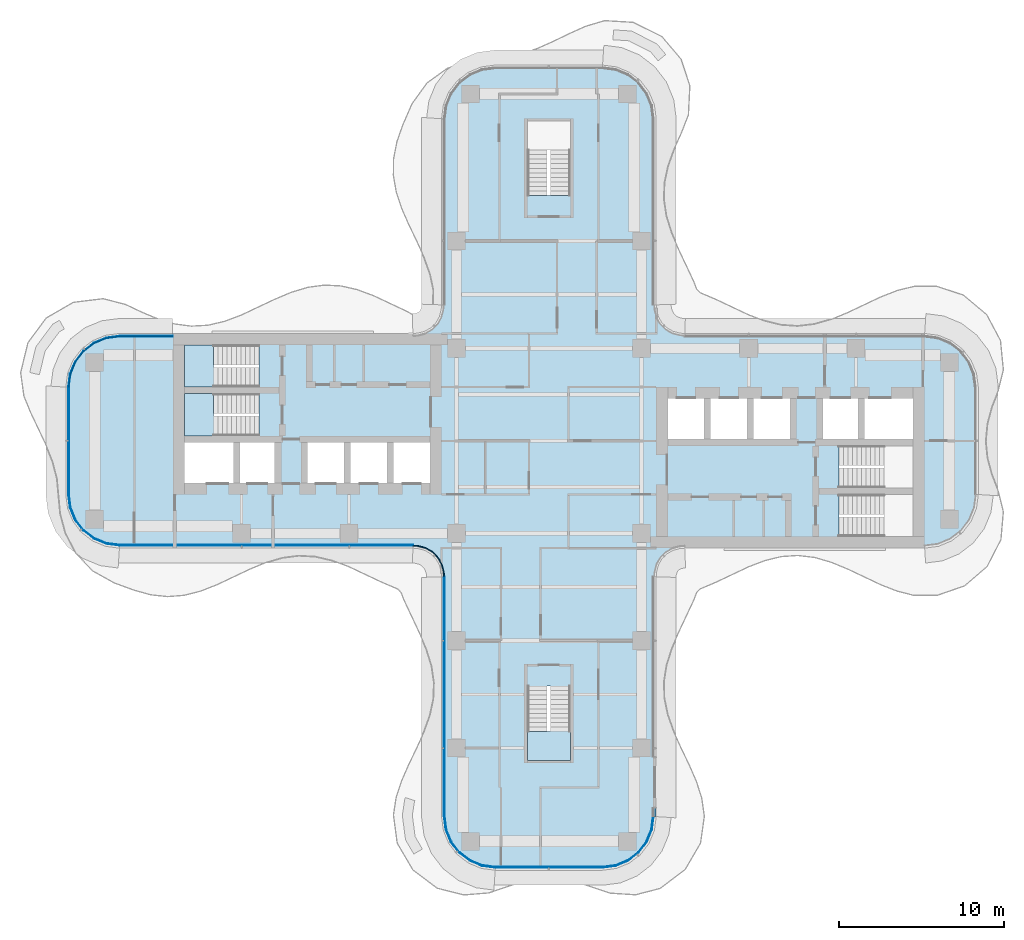
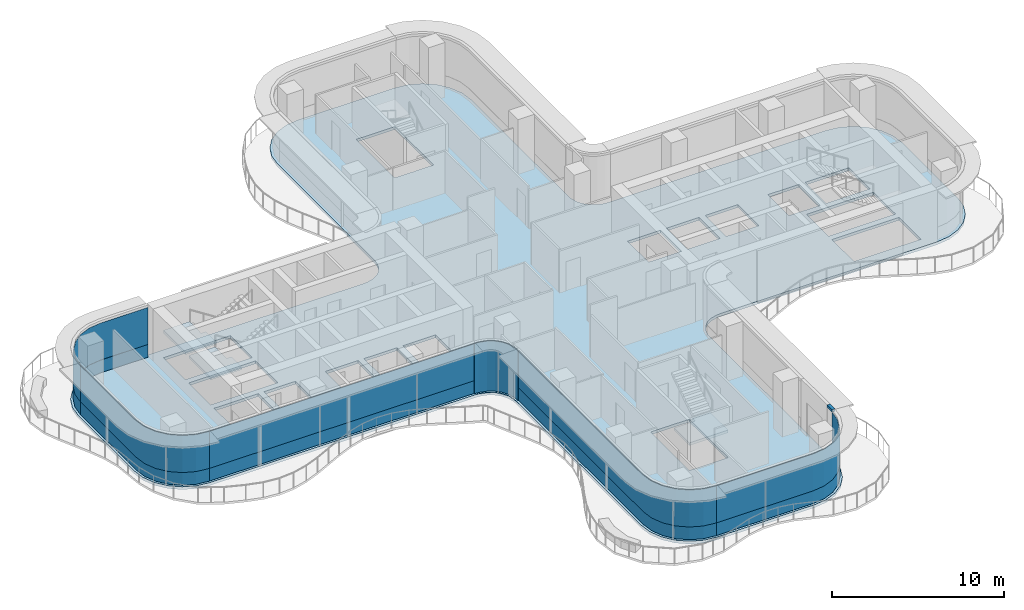
# One storey, part 8 of 17: 11 plates, 4 slabs, 1 member, 10 elements without a shape of their own.
"""IFC4 building model written with IfcOpenShell, lengths in metres."""

from ifc_helpers import new_model, si_unit, direction, frame, origin, place, context, subcontext, project, spatial, polyline, outline, extrude, source, transform, mapped, material, layer, layer_set, type_object, element, aggregate, save


model = new_model("IFC4")

# Units and contexts
model_context = context("Model", 3, precision=1e-05, world=origin(), true_north=direction((0.0, 1.0)))
body_context = subcontext(model_context, "Body", "Model", "MODEL_VIEW")
ifc_project = project(units=[si_unit("LENGTHUNIT", "METRE"), si_unit("AREAUNIT", "SQUARE_METRE"), si_unit("VOLUMEUNIT", "CUBIC_METRE"), si_unit("PLANEANGLEUNIT", "RADIAN"), si_unit("MASSUNIT", "GRAM", prefix="KILO")], contexts=[model_context])

# Site, building, storey
site_placement = place(None, origin())
site = spatial("IfcSite", under=ifc_project, at=site_placement, CompositionType="ELEMENT")
building_placement = place(site_placement, origin())
building = spatial("IfcBuilding", under=site, at=building_placement, Name="Trellis Farm Tower", CompositionType="ELEMENT")
storey_placement = place(building_placement, frame((0.0, 0.0, 236.300048828125)))
storey = spatial("IfcBuildingStorey", under=building, at=storey_placement, Name="L52", CompositionType="ELEMENT", Elevation=236.300048828125)

# Curtain wall, member
ifc_material_1 = material(Name="Aluminium and glass curtain wall", Category="aluminium")
ifc_layer_1 = layer(ifc_material_1, 0.18994140625)
ifc_layer_set_1 = layer_set([ifc_layer_1], Name="RIBBON CURTAIN WALL CW1")
curtain_wall_type_1 = type_object("IfcCurtainWallType", Name="RIBBON CURTAIN WALL CW1", PredefinedType="NOTDEFINED", material=ifc_layer_set_1)
placement_1 = place(storey_placement, origin())
curtain_wall_1 = element("IfcCurtainWall", 1, at=placement_1, inside=storey, type_object=curtain_wall_type_1, Name="CW1 004", PredefinedType="NOTDEFINED")
ifc_material_2 = material(Name="Aluminium extrusion 6063-T6", Category="aluminium")
ifc_layer_2 = layer(ifc_material_2, 0.199951171875)
ifc_layer_set_2 = layer_set([ifc_layer_2], Name="Aluminium extrusion 6063-T6")
member_type = type_object("IfcMemberType", Name="CW1 TRANSOM 200x180", PredefinedType="USERDEFINED", material=ifc_layer_set_2)
shared_shape_1 = source(origin(), body_context, "Body", "SweptSolid", [
    extrude(outline(polyline([(6.5, -22.75), (6.5, -22.175048828125), (6.300048828125, -22.175048828125), (6.300048828125, -22.73681640625), (6.5, -22.75)])), origin(), (0.0, 0.0, 1.0), 0.179931640625),
])
member_placement = place(storey_placement, frame((0.0, 0.0, 3.52001953125)))
member = element("IfcMember", 2, at=member_placement, type_object=member_type, Name="TR1 004", ObjectType="TRANSOM", PredefinedType="USERDEFINED", context=body_context, shape_type="MappedRepresentation", body=[
    mapped(shared_shape_1, transform((0.0, 0.0, 0.0))),
])
aggregate(curtain_wall_1, [member])

# Slab
ifc_material_3 = material(Name="Concrete C40/50", Category="concrete")
ifc_layer_3 = layer(ifc_material_3, 0.199951171875)
ifc_layer_set_3 = layer_set([ifc_layer_3], Name="Composite deck floor slab 200")
slab_type_1 = type_object("IfcSlabType", Name="Composite deck floor slab 200", PredefinedType="FLOOR", material=ifc_layer_set_3)
shared_shape_2 = source(origin(), body_context, "Body", "SweptSolid", [
    extrude(outline(polyline([(-26.84130859375, -6.389404296875), (-27.625, -6.064697265625), (-28.298095703125, -5.548095703125), (-28.814697265625, -4.875), (-29.139404296875, -4.09130859375), (-29.25, -3.25), (-29.25, 3.25), (-29.139404296875, 4.09130859375), (-28.814697265625, 4.875), (-28.298095703125, 5.548095703125), (-27.625, 6.064697265625), (-26.84130859375, 6.389404296875), (-26.0, 6.5), (-8.2314453125, 6.5), (-8.01953125, 6.513916015625), (-7.91552734375, 6.527587890625), (-7.508544921875, 6.63671875), (-7.144287109375, 6.846923828125), (-6.846923828125, 7.144287109375), (-6.63671875, 7.508544921875), (-6.527587890625, 7.91552734375), (-6.513916015625, 8.01953125), (-6.5, 8.2314453125), (-6.5, 19.5), (-6.389404296875, 20.34130859375), (-6.064697265625, 21.125), (-5.548095703125, 21.798095703125), (-4.875, 22.314697265625), (-4.09130859375, 22.639404296875), (-3.25, 22.75), (3.25, 22.75), (4.09130859375, 22.639404296875), (4.875, 22.314697265625), (5.548095703125, 21.798095703125), (6.064697265625, 21.125), (6.389404296875, 20.34130859375), (6.5, 19.5), (6.5, 8.2314453125), (6.513916015625, 8.01953125), (6.527587890625, 7.91552734375), (6.63671875, 7.508544921875), (6.846923828125, 7.144287109375), (7.144287109375, 6.846923828125), (7.508544921875, 6.63671875), (7.91552734375, 6.527587890625), (8.01953125, 6.513916015625), (8.2314453125, 6.5), (22.75, 6.5), (23.59130859375, 6.389404296875), (24.375, 6.064697265625), (25.048095703125, 5.548095703125), (25.564697265625, 4.875), (25.889404296875, 4.09130859375), (26.0, 3.25), (26.0, -3.25), (25.889404296875, -4.09130859375), (25.564697265625, -4.875), (25.048095703125, -5.548095703125), (24.375, -6.064697265625), (23.59130859375, -6.389404296875), (22.75, -6.5), (8.2314453125, -6.5), (8.01953125, -6.513916015625), (7.91552734375, -6.527587890625), (7.508544921875, -6.63671875), (7.144287109375, -6.846923828125), (6.846923828125, -7.144287109375), (6.63671875, -7.508544921875), (6.527587890625, -7.91552734375), (6.513916015625, -8.01953125), (6.5, -8.2314453125), (6.5, -22.75), (6.389404296875, -23.59130859375), (6.064697265625, -24.375), (5.548095703125, -25.048095703125), (4.875, -25.564697265625), (4.09130859375, -25.889404296875), (3.25, -26.0), (-3.25, -26.0), (-4.09130859375, -25.889404296875), (-4.875, -25.564697265625), (-5.548095703125, -25.048095703125), (-6.064697265625, -24.375), (-6.389404296875, -23.59130859375), (-6.5, -22.75), (-6.5, -8.2314453125), (-6.513916015625, -8.01953125), (-6.527587890625, -7.91552734375), (-6.63671875, -7.508544921875), (-6.846923828125, -7.144287109375), (-7.144287109375, -6.846923828125), (-7.508544921875, -6.63671875), (-7.91552734375, -6.527587890625), (-8.01953125, -6.513916015625), (-8.2314453125, -6.5), (-26.0, -6.5), (-26.84130859375, -6.389404296875)]), holes=[polyline([(-22.050048828125, -0.10009765625), (-22.050048828125, -2.550048828125), (-19.10009765625, -2.550048828125), (-19.10009765625, -0.10009765625), (-22.050048828125, -0.10009765625)]), polyline([(-18.699951171875, -0.10009765625), (-18.699951171875, -2.550048828125), (-16.60009765625, -2.550048828125), (-16.60009765625, -0.10009765625), (-18.699951171875, -0.10009765625)]), polyline([(-14.60009765625, -0.10009765625), (-14.60009765625, -2.550048828125), (-12.39990234375, -2.550048828125), (-12.39990234375, -0.10009765625), (-14.60009765625, -0.10009765625)]), polyline([(-12.0, -0.10009765625), (-12.0, -2.550048828125), (-9.800048828125, -2.550048828125), (-9.800048828125, -0.10009765625), (-12.0, -0.10009765625)]), polyline([(-9.39990234375, -0.10009765625), (-9.39990234375, -2.550048828125), (-7.199951171875, -2.550048828125), (-7.199951171875, -0.10009765625), (-9.39990234375, -0.10009765625)]), polyline([(-17.56201171875, 1.64990234375), (-17.56201171875, 2.85009765625), (-22.050048828125, 2.85009765625), (-22.050048828125, 0.300048828125), (-17.56005859375, 0.300048828125), (-17.56005859375, 1.5), (-17.550048828125, 1.5), (-17.550048828125, 1.64990234375), (-17.56201171875, 1.64990234375)]), polyline([(-17.56201171875, 4.60009765625), (-17.56201171875, 5.800048828125), (-22.050048828125, 5.800048828125), (-22.050048828125, 3.25), (-17.56005859375, 3.25), (-17.56005859375, 4.449951171875), (-17.550048828125, 4.449951171875), (-17.550048828125, 4.60009765625), (-17.56201171875, 4.60009765625)]), polyline([(0.10009765625, 14.862060546875), (1.300048828125, 14.862060546875), (1.300048828125, 19.35009765625), (-1.300048828125, 19.35009765625), (-1.300048828125, 14.860107421875), (-0.10009765625, 14.860107421875), (-0.10009765625, 14.85009765625), (0.10009765625, 14.85009765625), (0.10009765625, 14.862060546875)]), polyline([(-0.10009765625, -14.862060546875), (-1.300048828125, -14.862060546875), (-1.300048828125, -19.35009765625), (1.300048828125, -19.35009765625), (1.300048828125, -14.860107421875), (0.10009765625, -14.860107421875), (0.10009765625, -14.85009765625), (-0.10009765625, -14.85009765625), (-0.10009765625, -14.862060546875)]), polyline([(17.56201171875, -4.60009765625), (17.56201171875, -5.800048828125), (22.050048828125, -5.800048828125), (22.050048828125, -3.25), (17.56005859375, -3.25), (17.56005859375, -4.449951171875), (17.550048828125, -4.449951171875), (17.550048828125, -4.60009765625), (17.56201171875, -4.60009765625)]), polyline([(17.56201171875, -1.64990234375), (17.56201171875, -2.85009765625), (22.050048828125, -2.85009765625), (22.050048828125, -0.300048828125), (17.56005859375, -0.300048828125), (17.56005859375, -1.5), (17.550048828125, -1.5), (17.550048828125, -1.64990234375), (17.56201171875, -1.64990234375)]), polyline([(9.39990234375, 0.10009765625), (9.39990234375, 2.550048828125), (7.199951171875, 2.550048828125), (7.199951171875, 0.10009765625), (9.39990234375, 0.10009765625)]), polyline([(12.0, 0.10009765625), (12.0, 2.550048828125), (9.800048828125, 2.550048828125), (9.800048828125, 0.10009765625), (12.0, 0.10009765625)]), polyline([(14.60009765625, 0.10009765625), (14.60009765625, 2.550048828125), (12.39990234375, 2.550048828125), (12.39990234375, 0.10009765625), (14.60009765625, 0.10009765625)]), polyline([(18.699951171875, 0.10009765625), (18.699951171875, 2.550048828125), (16.60009765625, 2.550048828125), (16.60009765625, 0.10009765625), (18.699951171875, 0.10009765625)]), polyline([(22.050048828125, 0.10009765625), (22.050048828125, 2.550048828125), (19.10009765625, 2.550048828125), (19.10009765625, 0.10009765625), (22.050048828125, 0.10009765625)])]), origin(), (0.0, 0.0, 1.0), 0.199951171875),
])
slab_1_placement = place(storey_placement, frame((0.0, 0.0, -0.199951171875)))
element("IfcSlab", 3, at=slab_1_placement, inside=storey, type_object=slab_type_1, Name="Floor slab", PredefinedType="FLOOR", context=body_context, shape_type="MappedRepresentation", body=[
    mapped(shared_shape_2, transform((0.0, 0.0, 0.0))),
])

# Stair, slab
ifc_material_4 = material(Name="Concrete C50/60", Category="concrete")
stair_type = type_object("IfcStairType", Name="CORE EXIT STAIR 22 RISERS 177 MM", PredefinedType="HALF_TURN_STAIR", material=ifc_material_4)
stair_1 = element("IfcStair", 4, at=placement_1, inside=storey, type_object=stair_type, Name="Exit stair S", PredefinedType="HALF_TURN_STAIR")
ifc_layer_4 = layer(ifc_material_4, 0.18994140625)
ifc_layer_set_4 = layer_set([ifc_layer_4], Name="CORE STAIR LANDING 190 CONCRETE C50/60")
slab_type_2 = type_object("IfcSlabType", Name="CORE STAIR LANDING 190 CONCRETE C50/60", PredefinedType="LANDING", material=ifc_layer_set_4)
shared_shape_3 = source(origin(), body_context, "Body", "SweptSolid", [
    extrude(outline(polyline([(1.300048828125, -19.35009765625), (-1.300048828125, -19.35009765625), (-1.300048828125, -17.60009765625), (-1.300048828125, -17.590087890625), (-0.10009765625, -17.590087890625), (-0.10009765625, -17.60009765625), (0.10009765625, -17.60009765625), (0.10009765625, -17.27197265625), (1.300048828125, -17.27197265625), (1.300048828125, -17.60009765625), (1.300048828125, -19.35009765625)])), origin(), (0.0, 0.0, 1.0), 0.18994140625),
])
placement_2 = place(storey_placement, frame((0.0, 0.0, 1.760009765625)))
slab_2 = element("IfcSlab", 5, at=placement_2, type_object=slab_type_2, Name="STS landing 1", PredefinedType="LANDING", context=body_context, shape_type="MappedRepresentation", body=[
    mapped(shared_shape_3, transform((0.0, 0.0, 0.0))),
])
aggregate(stair_1, [slab_2])

stair_2 = element("IfcStair", 6, at=placement_1, inside=storey, type_object=stair_type, Name="Exit stair W1", PredefinedType="HALF_TURN_STAIR")
shared_shape_4 = source(origin(), body_context, "Body", "SweptSolid", [
    extrude(outline(polyline([(-19.971923828125, 4.449951171875), (-19.971923828125, 3.25), (-20.300048828125, 3.25), (-22.050048828125, 3.25), (-22.050048828125, 5.800048828125), (-20.300048828125, 5.800048828125), (-20.2900390625, 5.800048828125), (-20.2900390625, 4.60009765625), (-20.300048828125, 4.60009765625), (-20.300048828125, 4.449951171875), (-19.971923828125, 4.449951171875)])), origin(), (0.0, 0.0, 1.0), 0.18994140625),
])
slab_3 = element("IfcSlab", 7, at=placement_2, type_object=slab_type_2, Name="STW1 landing 1", PredefinedType="LANDING", context=body_context, shape_type="MappedRepresentation", body=[
    mapped(shared_shape_4, transform((0.0, 0.0, 0.0))),
])
aggregate(stair_2, [slab_3])

stair_3 = element("IfcStair", 8, at=placement_1, inside=storey, type_object=stair_type, Name="Exit stair W2", PredefinedType="HALF_TURN_STAIR")
shared_shape_5 = source(origin(), body_context, "Body", "SweptSolid", [
    extrude(outline(polyline([(-19.971923828125, 1.5), (-19.971923828125, 0.300048828125), (-20.300048828125, 0.300048828125), (-22.050048828125, 0.300048828125), (-22.050048828125, 2.85009765625), (-20.300048828125, 2.85009765625), (-20.2900390625, 2.85009765625), (-20.2900390625, 1.64990234375), (-20.300048828125, 1.64990234375), (-20.300048828125, 1.5), (-19.971923828125, 1.5)])), origin(), (0.0, 0.0, 1.0), 0.18994140625),
])
slab_4 = element("IfcSlab", 9, at=placement_2, type_object=slab_type_2, Name="STW2 landing 1", PredefinedType="LANDING", context=body_context, shape_type="MappedRepresentation", body=[
    mapped(shared_shape_5, transform((0.0, 0.0, 0.0))),
])
aggregate(stair_3, [slab_4])

# Curtain wall, plate
curtain_wall_2 = element("IfcCurtainWall", 10, at=placement_1, inside=storey, type_object=curtain_wall_type_1, Name="CW1 002", PredefinedType="NOTDEFINED")
ifc_material_5 = material(Name="Sandstone faced insulated panel", Category="masonry")
ifc_layer_5 = layer(ifc_material_5, 0.050048828125)
ifc_layer_set_5 = layer_set([ifc_layer_5], Name="CW1 STONE SPANDREL PANEL 50")
plate_type_1 = type_object("IfcPlateType", Name="CW1 STONE SPANDREL PANEL 50", PredefinedType="CURTAIN_PANEL", material=ifc_layer_set_5)
shared_shape_6 = source(origin(), body_context, "Body", "SweptSolid", [
    extrude(outline(polyline([(-6.35009765625, -8.2265625), (-6.35009765625, -22.740234375), (-6.2431640625, -23.552001953125), (-5.93359375, -24.29931640625), (-5.441162109375, -24.941162109375), (-4.79931640625, -25.43359375), (-4.052001953125, -25.7431640625), (-3.240234375, -25.85009765625), (-3.23681640625, -25.800048828125), (-4.0390625, -25.6943359375), (-4.774169921875, -25.389892578125), (-5.405517578125, -24.905517578125), (-5.889892578125, -24.274169921875), (-6.1943359375, -23.5390625), (-6.300048828125, -22.73681640625), (-6.300048828125, -8.224853515625), (-6.35009765625, -8.2265625)])), origin(), (0.0, 0.0, 1.0), 0.89990234375),
])
plate_1 = element("IfcPlate", 11, at=placement_1, type_object=plate_type_1, Name="PS1 002", PredefinedType="CURTAIN_PANEL", context=body_context, shape_type="MappedRepresentation", body=[
    mapped(shared_shape_6, transform((0.0, 0.0, 0.0))),
])

curtain_wall_3 = element("IfcCurtainWall", 12, at=placement_1, inside=storey, type_object=curtain_wall_type_1, Name="CW1 003", PredefinedType="NOTDEFINED")
shared_shape_7 = source(origin(), body_context, "Body", "SweptSolid", [
    extrude(outline(polyline([(-3.240234375, -25.85009765625), (3.240234375, -25.85009765625), (4.052001953125, -25.7431640625), (4.79931640625, -25.43359375), (5.441162109375, -24.941162109375), (5.93359375, -24.29931640625), (6.2431640625, -23.552001953125), (6.35009765625, -22.740234375), (6.300048828125, -22.73681640625), (6.1943359375, -23.5390625), (5.889892578125, -24.274169921875), (5.405517578125, -24.905517578125), (4.774169921875, -25.389892578125), (4.0390625, -25.6943359375), (3.23681640625, -25.800048828125), (-3.23681640625, -25.800048828125), (-3.240234375, -25.85009765625)])), origin(), (0.0, 0.0, 1.0), 0.89990234375),
])
plate_2 = element("IfcPlate", 13, at=placement_1, type_object=plate_type_1, Name="PS1 003", PredefinedType="CURTAIN_PANEL", context=body_context, shape_type="MappedRepresentation", body=[
    mapped(shared_shape_7, transform((0.0, 0.0, 0.0))),
])

ifc_layer_6 = layer(ifc_material_1, 0.166015625)
ifc_layer_set_6 = layer_set([ifc_layer_6], Name="WINTER GARDEN CURTAIN WALL CW3")
curtain_wall_type_2 = type_object("IfcCurtainWallType", Name="WINTER GARDEN CURTAIN WALL CW3", PredefinedType="NOTDEFINED", material=ifc_layer_set_6)
curtain_wall_4 = element("IfcCurtainWall", 14, at=placement_1, inside=storey, type_object=curtain_wall_type_2, Name="CW3 001", PredefinedType="NOTDEFINED")
ifc_material_6 = material(Name="Clear insulated glass", Category="glass")
ifc_layer_7 = layer(ifc_material_6, 0.0458984375)
ifc_layer_set_7 = layer_set([ifc_layer_7], Name="CW3 GLASS PANEL 46")
plate_type_2 = type_object("IfcPlateType", Name="CW3 GLASS PANEL 46", PredefinedType="CURTAIN_PANEL", material=ifc_layer_set_7)
shared_shape_8 = source(origin(), body_context, "Body", "SweptSolid", [
    extrude(outline(polyline([(-8.2275390625, -6.3798828125), (-8.0078125, -6.394287109375), (-7.89208984375, -6.40966796875), (-7.462158203125, -6.52490234375), (-7.070556640625, -6.7509765625), (-6.7509765625, -7.070556640625), (-6.52490234375, -7.462158203125), (-6.40966796875, -7.89208984375), (-6.394287109375, -8.0078125), (-6.3798828125, -8.2275390625), (-6.333984375, -8.22607421875), (-6.3486328125, -8.003173828125), (-6.364501953125, -7.883056640625), (-6.48193359375, -7.4443359375), (-6.714111328125, -7.04248046875), (-7.04248046875, -6.714111328125), (-7.4443359375, -6.48193359375), (-7.883056640625, -6.364501953125), (-8.003173828125, -6.3486328125), (-8.22607421875, -6.333984375), (-8.2275390625, -6.3798828125)])), origin(), (0.0, 0.0, 1.0), 3.550048828125),
])
plate_3 = element("IfcPlate", 15, at=placement_1, type_object=plate_type_2, Name="PL3 001", PredefinedType="CURTAIN_PANEL", context=body_context, shape_type="MappedRepresentation", body=[
    mapped(shared_shape_8, transform((0.0, 0.0, 0.0))),
])
aggregate(curtain_wall_4, [plate_3])

# Curtain wall, plates
curtain_wall_5 = element("IfcCurtainWall", 16, at=placement_1, inside=storey, type_object=curtain_wall_type_1, Name="CW1 001", PredefinedType="NOTDEFINED")
ifc_layer_8 = layer(ifc_material_6, 0.0400390625)
ifc_layer_set_8 = layer_set([ifc_layer_8], Name="CW1 GLASS PANEL 40")
plate_type_3 = type_object("IfcPlateType", Name="CW1 GLASS PANEL 40", PredefinedType="CURTAIN_PANEL", material=ifc_layer_set_8)
shared_shape_9 = source(origin(), body_context, "Body", "SweptSolid", [
    extrude(outline(polyline([(-25.990234375, -6.35009765625), (-8.2265625, -6.35009765625), (-8.22509765625, -6.31005859375), (-25.987548828125, -6.31005859375), (-25.990234375, -6.35009765625)])), origin(), (0.0, 0.0, 1.0), 2.6201171875),
])
placement_3 = place(storey_placement, frame((0.0, 0.0, 0.89990234375)))
plate_4 = element("IfcPlate", 17, at=placement_3, type_object=plate_type_3, Name="PL1 001", PredefinedType="CURTAIN_PANEL", context=body_context, shape_type="MappedRepresentation", body=[
    mapped(shared_shape_9, transform((0.0, 0.0, 0.0))),
])
shared_shape_10 = source(origin(), body_context, "Body", "SweptSolid", [
    extrude(outline(polyline([(-25.990234375, -6.35009765625), (-8.2265625, -6.35009765625), (-8.224853515625, -6.300048828125), (-25.98681640625, -6.300048828125), (-25.990234375, -6.35009765625)])), origin(), (0.0, 0.0, 1.0), 0.89990234375),
])
plate_5 = element("IfcPlate", 18, at=placement_1, type_object=plate_type_1, Name="PS1 001", PredefinedType="CURTAIN_PANEL", context=body_context, shape_type="MappedRepresentation", body=[
    mapped(shared_shape_10, transform((0.0, 0.0, 0.0))),
])
aggregate(curtain_wall_5, [plate_4, plate_5])

# Plate
shared_shape_11 = source(origin(), body_context, "Body", "SweptSolid", [
    extrude(outline(polyline([(-6.35009765625, -8.2265625), (-6.35009765625, -22.740234375), (-6.2431640625, -23.552001953125), (-5.93359375, -24.29931640625), (-5.441162109375, -24.941162109375), (-4.79931640625, -25.43359375), (-4.052001953125, -25.7431640625), (-3.240234375, -25.85009765625), (-3.237548828125, -25.81005859375), (-4.04150390625, -25.7041015625), (-4.779296875, -25.398681640625), (-5.41259765625, -24.91259765625), (-5.898681640625, -24.279296875), (-6.2041015625, -23.54150390625), (-6.31005859375, -22.737548828125), (-6.31005859375, -8.22509765625), (-6.35009765625, -8.2265625)])), origin(), (0.0, 0.0, 1.0), 2.6201171875),
])
plate_6 = element("IfcPlate", 19, at=placement_3, type_object=plate_type_3, Name="PL1 002", PredefinedType="CURTAIN_PANEL", context=body_context, shape_type="MappedRepresentation", body=[
    mapped(shared_shape_11, transform((0.0, 0.0, 0.0))),
])

aggregate(curtain_wall_2, [plate_6, plate_1])

shared_shape_12 = source(origin(), body_context, "Body", "SweptSolid", [
    extrude(outline(polyline([(-3.240234375, -25.85009765625), (3.240234375, -25.85009765625), (4.052001953125, -25.7431640625), (4.79931640625, -25.43359375), (5.441162109375, -24.941162109375), (5.93359375, -24.29931640625), (6.2431640625, -23.552001953125), (6.35009765625, -22.740234375), (6.31005859375, -22.737548828125), (6.2041015625, -23.54150390625), (5.898681640625, -24.279296875), (5.41259765625, -24.91259765625), (4.779296875, -25.398681640625), (4.04150390625, -25.7041015625), (3.237548828125, -25.81005859375), (-3.237548828125, -25.81005859375), (-3.240234375, -25.85009765625)])), origin(), (0.0, 0.0, 1.0), 2.6201171875),
])
plate_7 = element("IfcPlate", 20, at=placement_3, type_object=plate_type_3, Name="PL1 003", PredefinedType="CURTAIN_PANEL", context=body_context, shape_type="MappedRepresentation", body=[
    mapped(shared_shape_12, transform((0.0, 0.0, 0.0))),
])

aggregate(curtain_wall_3, [plate_7, plate_2])

# Curtain wall, plates
curtain_wall_6 = element("IfcCurtainWall", 21, at=placement_1, inside=storey, type_object=curtain_wall_type_1, Name="CW1 012", PredefinedType="NOTDEFINED")
shared_shape_13 = source(origin(), body_context, "Body", "SweptSolid", [
    extrude(outline(polyline([(-22.780029296875, 6.35009765625), (-25.990234375, 6.35009765625), (-26.802001953125, 6.2431640625), (-27.54931640625, 5.93359375), (-28.191162109375, 5.441162109375), (-28.68359375, 4.79931640625), (-28.9931640625, 4.052001953125), (-29.10009765625, 3.240234375), (-29.06005859375, 3.237548828125), (-28.9541015625, 4.04150390625), (-28.648681640625, 4.779296875), (-28.16259765625, 5.41259765625), (-27.529296875, 5.898681640625), (-26.79150390625, 6.2041015625), (-25.987548828125, 6.31005859375), (-22.780029296875, 6.31005859375), (-22.780029296875, 6.35009765625)])), origin(), (0.0, 0.0, 1.0), 2.6201171875),
])
plate_8 = element("IfcPlate", 22, at=placement_3, type_object=plate_type_3, Name="PL1 012", PredefinedType="CURTAIN_PANEL", context=body_context, shape_type="MappedRepresentation", body=[
    mapped(shared_shape_13, transform((0.0, 0.0, 0.0))),
])
shared_shape_14 = source(origin(), body_context, "Body", "SweptSolid", [
    extrude(outline(polyline([(-22.780029296875, 6.35009765625), (-25.990234375, 6.35009765625), (-26.802001953125, 6.2431640625), (-27.54931640625, 5.93359375), (-28.191162109375, 5.441162109375), (-28.68359375, 4.79931640625), (-28.9931640625, 4.052001953125), (-29.10009765625, 3.240234375), (-29.050048828125, 3.23681640625), (-28.9443359375, 4.0390625), (-28.639892578125, 4.774169921875), (-28.155517578125, 5.405517578125), (-27.524169921875, 5.889892578125), (-26.7890625, 6.1943359375), (-25.98681640625, 6.300048828125), (-22.780029296875, 6.300048828125), (-22.780029296875, 6.35009765625)])), origin(), (0.0, 0.0, 1.0), 0.89990234375),
])
plate_9 = element("IfcPlate", 23, at=placement_1, type_object=plate_type_1, Name="PS1 012", PredefinedType="CURTAIN_PANEL", context=body_context, shape_type="MappedRepresentation", body=[
    mapped(shared_shape_14, transform((0.0, 0.0, 0.0))),
])
aggregate(curtain_wall_6, [plate_8, plate_9])

curtain_wall_7 = element("IfcCurtainWall", 24, at=placement_1, inside=storey, type_object=curtain_wall_type_1, Name="CW1 013", PredefinedType="NOTDEFINED")
shared_shape_15 = source(origin(), body_context, "Body", "SweptSolid", [
    extrude(outline(polyline([(-29.10009765625, 3.240234375), (-29.10009765625, -3.240234375), (-28.9931640625, -4.052001953125), (-28.68359375, -4.79931640625), (-28.191162109375, -5.441162109375), (-27.54931640625, -5.93359375), (-26.802001953125, -6.2431640625), (-25.990234375, -6.35009765625), (-25.987548828125, -6.31005859375), (-26.79150390625, -6.2041015625), (-27.529296875, -5.898681640625), (-28.16259765625, -5.41259765625), (-28.648681640625, -4.779296875), (-28.9541015625, -4.04150390625), (-29.06005859375, -3.237548828125), (-29.06005859375, 3.237548828125), (-29.10009765625, 3.240234375)])), origin(), (0.0, 0.0, 1.0), 2.6201171875),
])
plate_10 = element("IfcPlate", 25, at=placement_3, type_object=plate_type_3, Name="PL1 013", PredefinedType="CURTAIN_PANEL", context=body_context, shape_type="MappedRepresentation", body=[
    mapped(shared_shape_15, transform((0.0, 0.0, 0.0))),
])
shared_shape_16 = source(origin(), body_context, "Body", "SweptSolid", [
    extrude(outline(polyline([(-29.10009765625, 3.240234375), (-29.10009765625, -3.240234375), (-28.9931640625, -4.052001953125), (-28.68359375, -4.79931640625), (-28.191162109375, -5.441162109375), (-27.54931640625, -5.93359375), (-26.802001953125, -6.2431640625), (-25.990234375, -6.35009765625), (-25.98681640625, -6.300048828125), (-26.7890625, -6.1943359375), (-27.524169921875, -5.889892578125), (-28.155517578125, -5.405517578125), (-28.639892578125, -4.774169921875), (-28.9443359375, -4.0390625), (-29.050048828125, -3.23681640625), (-29.050048828125, 3.23681640625), (-29.10009765625, 3.240234375)])), origin(), (0.0, 0.0, 1.0), 0.89990234375),
])
plate_11 = element("IfcPlate", 26, at=placement_1, type_object=plate_type_1, Name="PS1 013", PredefinedType="CURTAIN_PANEL", context=body_context, shape_type="MappedRepresentation", body=[
    mapped(shared_shape_16, transform((0.0, 0.0, 0.0))),
])
aggregate(curtain_wall_7, [plate_10, plate_11])

save(model, "model.ifc")
